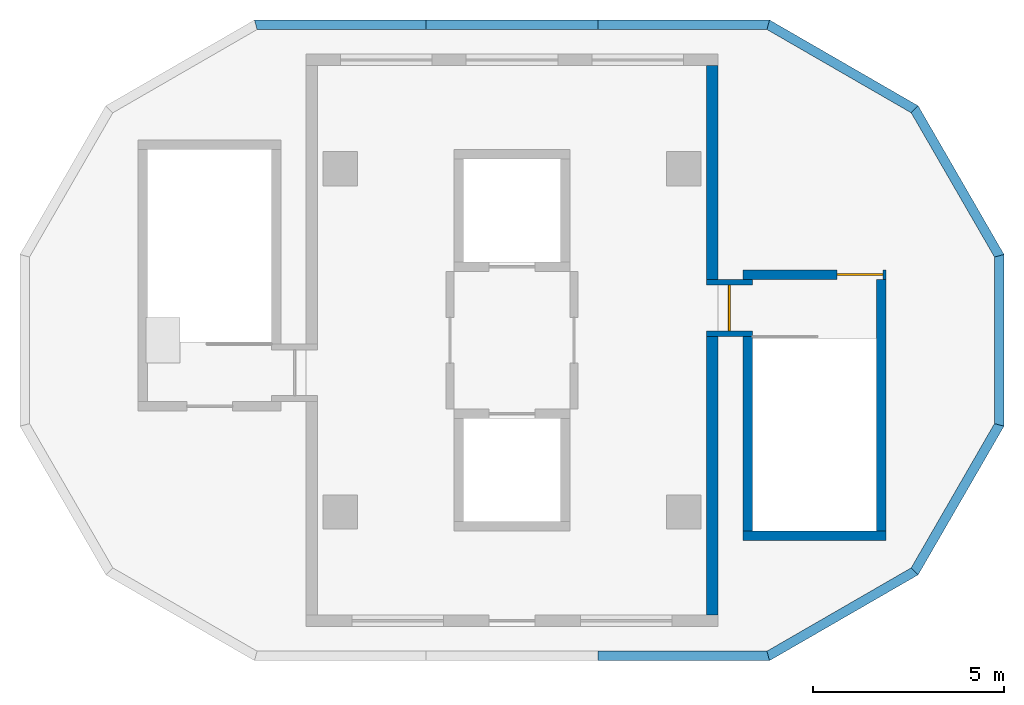
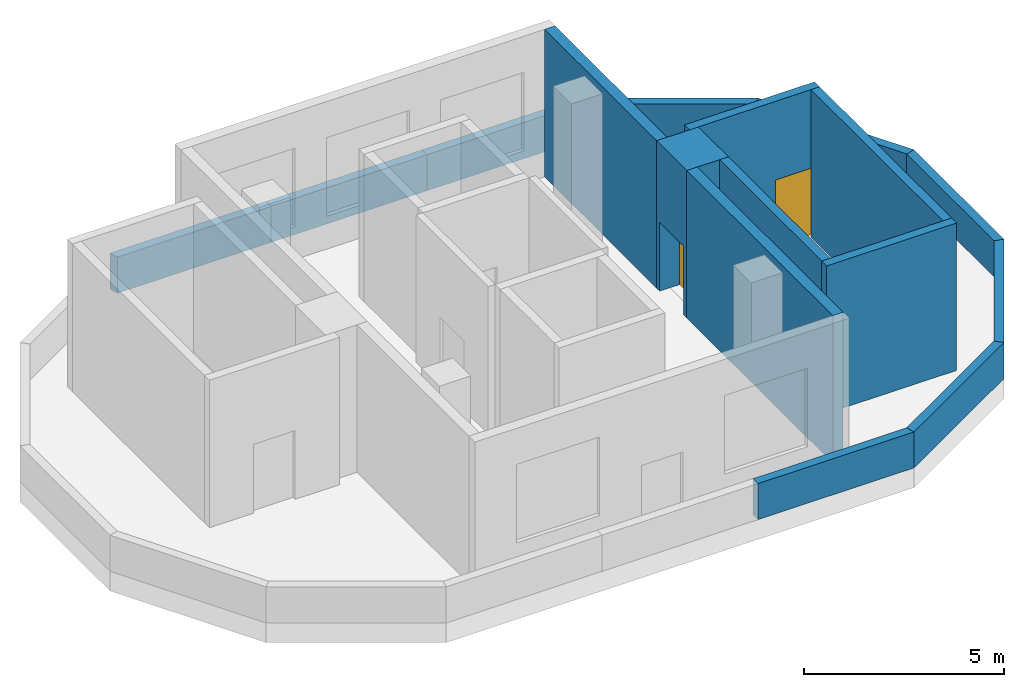
# One storey, part 2 of 3: 16 walls, 2 doors, 2 openings.
"""IFC4 building model written with IfcOpenShell, lengths in metres."""

from ifc_helpers import new_model, si_unit, direction, frame, frame_2d, origin, place, context, subcontext, project, spatial, polyline, rectangle, outline, extrude, material, layer, layer_set, type_object, element, fill, save


model = new_model("IFC4")

# Units and contexts
model_context = context("Model", 3, precision=1e-05, world=origin(), true_north=direction((0.0, 1.0)))
body_context = subcontext(model_context, "Body", "Model", "MODEL_VIEW")
ifc_project = project(units=[si_unit("LENGTHUNIT", "METRE"), si_unit("AREAUNIT", "SQUARE_METRE"), si_unit("VOLUMEUNIT", "CUBIC_METRE"), si_unit("PLANEANGLEUNIT", "RADIAN"), si_unit("MASSUNIT", "GRAM", prefix="KILO")], contexts=[model_context])

# Site, building, storey
site_placement = place(None, origin())
site = spatial("IfcSite", under=ifc_project, at=site_placement, CompositionType="ELEMENT")
building_placement = place(site_placement, origin())
building = spatial("IfcBuilding", under=site, at=building_placement, Name="Dhurran Vertical Campus", CompositionType="ELEMENT")
storey_placement = place(building_placement, frame((0.0, 0.0, 341.39990234375)))
storey = spatial("IfcBuildingStorey", under=building, at=storey_placement, Name="Roof", CompositionType="ELEMENT", Elevation=341.39990234375)

# Wall, opening, door
ifc_material_1 = material(Name="Precast concrete C50/60", Category="concrete")
ifc_layer_1 = layer(ifc_material_1, 0.25)
ifc_layer_set_1 = layer_set([ifc_layer_1], Name="Precast concrete C50/60")
wall_type_1 = type_object("IfcWallType", Name="Crown stair head-house wall 250", PredefinedType="SOLIDWALL", material=ifc_layer_set_1)
wall_1_placement = place(storey_placement, frame((6.050048828125, 1.72509765625, 0.0), z_axis=(0.0, 0.0, 1.0), x_axis=(1.0, 0.0, 0.0)))
wall_1 = element("IfcWall", 1, at=wall_1_placement, inside=storey, type_object=wall_type_1, Name="HW1 ST6 head-house wall end", PredefinedType="SOLIDWALL", context=body_context, shape_type="SweptSolid", body=[
    extrude(rectangle(XDim=3.75, YDim=0.25, at=frame_2d((1.875, 0.0))), origin(), (0.0, 0.0, 1.0), 4.5),
])
opening_1_placement = place(wall_1_placement, frame((2.47509765625, 0.0, 0.0)))
opening_1 = element("IfcOpeningElement", 2, at=opening_1_placement, cuts=wall_1, Name="Opening D202", PredefinedType="OPENING", context=body_context, shape_type="SweptSolid", body=[
    extrude(rectangle(XDim=1.199951171875, YDim=2.10009765625, at=frame_2d((0.60009765625, 1.050048828125))), frame((0.0, 0.135009765625, 0.0), z_axis=(0.0, -1.0, 0.0), x_axis=(1.0, 0.0, 0.0)), (0.0, 0.0, 1.0), 0.27001953125),
])
ifc_material_2 = material(Name="Steel, fire-rated", Category="steel")
door_type_1 = type_object("IfcDoorType", Name="Head-house exit door 1200 x 2100", OperationType="SINGLE_SWING_LEFT", PredefinedType="DOOR", material=ifc_material_2)
door_1_placement = place(opening_1_placement, origin())
door_1 = element("IfcDoor", 3, at=door_1_placement, inside=storey, type_object=door_type_1, Name="D202 stair ST6 roof access door", OperationType="SINGLE_SWING_LEFT", OverallHeight=2.10009765625, OverallWidth=1.199951171875, PredefinedType="DOOR", context=body_context, shape_type="SweptSolid", body=[
    extrude(rectangle(XDim=1.199951171875, YDim=2.10009765625, at=frame_2d((0.60009765625, 1.050048828125))), frame((0.0, 0.02490234375, 0.0), z_axis=(0.0, -1.0, 0.0), x_axis=(1.0, 0.0, 0.0)), (0.0, 0.0, 1.0), 0.050048828125),
])
fill(opening_1, door_1)

# Walls
wall_2_placement = place(storey_placement, frame((6.050048828125, -5.125, 0.0), z_axis=(0.0, 0.0, 1.0), x_axis=(1.0, 0.0, 0.0)))
element("IfcWall", 4, at=wall_2_placement, inside=storey, type_object=wall_type_1, Name="HW1 ST6 head-house wall far", PredefinedType="SOLIDWALL", context=body_context, shape_type="SweptSolid", body=[
    extrude(rectangle(XDim=3.75, YDim=0.25, at=frame_2d((1.875, 0.0))), origin(), (0.0, 0.0, 1.0), 4.5),
])
wall_3_placement = place(storey_placement, frame((6.175048828125, -5.0, 0.0), z_axis=(0.0, 0.0, 1.0), x_axis=(0.0, 1.0, 0.0)))
element("IfcWall", 5, at=wall_3_placement, inside=storey, type_object=wall_type_1, Name="HW1 ST6 head-house wall west", PredefinedType="SOLIDWALL", context=body_context, shape_type="SweptSolid", body=[
    extrude(rectangle(XDim=5.10009765625, YDim=0.25, at=frame_2d((2.550048828125, 0.0))), origin(), (0.0, 0.0, 1.0), 4.5),
])
wall_4_placement = place(storey_placement, frame((9.675048828125, -5.0, 0.0), z_axis=(0.0, 0.0, 1.0), x_axis=(0.0, 1.0, 0.0)))
element("IfcWall", 6, at=wall_4_placement, inside=storey, type_object=wall_type_1, Name="HW1 ST6 head-house wall east", PredefinedType="SOLIDWALL", context=body_context, shape_type="SweptSolid", body=[
    extrude(rectangle(XDim=6.60009765625, YDim=0.25, at=frame_2d((3.300048828125, 0.0))), origin(), (0.0, 0.0, 1.0), 4.5),
])

# Wall, opening, door
ifc_material_3 = material(Name="Precast concrete C50/60", Category="concrete")
ifc_layer_2 = layer(ifc_material_3, 1.199951171875)
ifc_layer_set_2 = layer_set([ifc_layer_2], Name="Precast concrete C50/60")
wall_type_2 = type_object("IfcWallType", Name="Crown stair link wall 1200", PredefinedType="SOLIDWALL", material=ifc_layer_set_2)
wall_5_placement = place(storey_placement, frame((5.699951171875, 0.10009765625, 0.0), z_axis=(0.0, 0.0, 1.0), x_axis=(0.0, 1.0, 0.0)))
wall_5 = element("IfcWall", 7, at=wall_5_placement, inside=storey, type_object=wall_type_2, Name="HW2 ST6 link wall", PredefinedType="SOLIDWALL", context=body_context, shape_type="SweptSolid", body=[
    extrude(rectangle(XDim=1.5, YDim=1.199951171875, at=frame_2d((0.75, 0.0))), origin(), (0.0, 0.0, 1.0), 4.5),
])
opening_2_placement = place(wall_5_placement, frame((0.14990234375, 0.0, 0.0)))
opening_2 = element("IfcOpeningElement", 8, at=opening_2_placement, cuts=wall_5, Name="Opening D205", PredefinedType="OPENING", context=body_context, shape_type="SweptSolid", body=[
    extrude(rectangle(XDim=1.199951171875, YDim=2.10009765625, at=frame_2d((0.60009765625, 1.050048828125))), frame((0.0, 0.60986328125, 0.0), z_axis=(0.0, -1.0, 0.0), x_axis=(1.0, 0.0, 0.0)), (0.0, 0.0, 1.0), 1.219970703125),
])
ifc_material_4 = material(Name="Steel, fire-rated", Category="steel")
door_type_2 = type_object("IfcDoorType", Name="Plant drum door 1200 x 2100", OperationType="SINGLE_SWING_LEFT", PredefinedType="DOOR", material=ifc_material_4)
door_2_placement = place(opening_2_placement, origin())
door_2 = element("IfcDoor", 9, at=door_2_placement, inside=storey, type_object=door_type_2, Name="D205 plant room to stair ST6 door", OperationType="SINGLE_SWING_LEFT", OverallHeight=2.10009765625, OverallWidth=1.199951171875, PredefinedType="DOOR", context=body_context, shape_type="SweptSolid", body=[
    extrude(rectangle(XDim=1.199951171875, YDim=2.10009765625, at=frame_2d((0.60009765625, 1.050048828125))), frame((0.0, 0.02490234375, 0.0), z_axis=(0.0, -1.0, 0.0), x_axis=(1.0, 0.0, 0.0)), (0.0, 0.0, 1.0), 0.050048828125),
])
fill(opening_2, door_2)

# Walls
ifc_material_5 = material(Name="Precast concrete C50/60", Category="concrete")
ifc_layer_3 = layer(ifc_material_5, 0.300048828125)
ifc_layer_set_3 = layer_set([ifc_layer_3], Name="Precast concrete C50/60")
wall_type_3 = type_object("IfcWallType", Name="Precast louvre-bay wall 300", PredefinedType="SOLIDWALL", material=ifc_layer_set_3)
wall_6_placement = place(storey_placement, frame((5.25, -7.199951171875, 0.0), z_axis=(0.0, 0.0, 1.0), x_axis=(0.0, 1.0, 0.0)))
element("IfcWall", 10, at=wall_6_placement, inside=storey, type_object=wall_type_3, Name="EW3 plant drum wall E1", PredefinedType="SOLIDWALL", context=body_context, shape_type="SweptSolid", body=[
    extrude(rectangle(XDim=7.300048828125, YDim=0.300048828125, at=frame_2d((3.64990234375, 0.0))), origin(), (0.0, 0.0, 1.0), 4.5),
])
wall_7_placement = place(storey_placement, frame((5.25, 1.60009765625, 0.0), z_axis=(0.0, 0.0, 1.0), x_axis=(0.0, 1.0, 0.0)))
element("IfcWall", 11, at=wall_7_placement, inside=storey, type_object=wall_type_3, Name="EW3 plant drum wall E2", PredefinedType="SOLIDWALL", context=body_context, shape_type="SweptSolid", body=[
    extrude(rectangle(XDim=5.599853515625, YDim=0.300048828125, at=frame_2d((2.7998046875, 0.0))), origin(), (0.0, 0.0, 1.0), 4.5),
])
ifc_material_6 = material(Name="Precast concrete C50/60", Category="concrete")
ifc_layer_4 = layer(ifc_material_6, 0.25)
ifc_layer_set_4 = layer_set([ifc_layer_4], Name="Precast concrete C50/60")
wall_type_4 = type_object("IfcWallType", Name="Precast parapet 250", PredefinedType="PARAPET", material=ifc_layer_set_4)
wall_8_placement = place(storey_placement, origin())
element("IfcWall", 12, at=wall_8_placement, inside=storey, type_object=wall_type_4, Name="PW1 Roof.02", PredefinedType="PARAPET", context=body_context, shape_type="SweptSolid", body=[
    extrude(outline(polyline([(2.25, -8.397216796875), (6.75, -8.397216796875), (6.68310546875, -8.147216796875), (2.25, -8.147216796875), (2.25, -8.397216796875)])), origin(), (0.0, 0.0, 1.0), 1.10009765625),
])
wall_9_placement = place(storey_placement, origin())
element("IfcWall", 13, at=wall_9_placement, inside=storey, type_object=wall_type_4, Name="PW1 Roof.03", PredefinedType="PARAPET", context=body_context, shape_type="SweptSolid", body=[
    extrude(outline(polyline([(6.75, -8.397216796875), (10.647216796875, -6.147216796875), (10.464111328125, -5.964111328125), (6.68310546875, -8.147216796875), (6.75, -8.397216796875)])), origin(), (0.0, 0.0, 1.0), 1.10009765625),
])
wall_10_placement = place(storey_placement, origin())
element("IfcWall", 14, at=wall_10_placement, inside=storey, type_object=wall_type_4, Name="PW1 Roof.04", PredefinedType="PARAPET", context=body_context, shape_type="SweptSolid", body=[
    extrude(outline(polyline([(10.647216796875, -6.147216796875), (12.897216796875, -2.25), (12.647216796875, -2.18310546875), (10.464111328125, -5.964111328125), (10.647216796875, -6.147216796875)])), origin(), (0.0, 0.0, 1.0), 1.10009765625),
])
wall_11_placement = place(storey_placement, origin())
element("IfcWall", 15, at=wall_11_placement, inside=storey, type_object=wall_type_4, Name="PW1 Roof.05", PredefinedType="PARAPET", context=body_context, shape_type="SweptSolid", body=[
    extrude(outline(polyline([(12.897216796875, -2.25), (12.897216796875, 2.25), (12.647216796875, 2.18310546875), (12.647216796875, -2.18310546875), (12.897216796875, -2.25)])), origin(), (0.0, 0.0, 1.0), 1.10009765625),
])
wall_12_placement = place(storey_placement, origin())
element("IfcWall", 16, at=wall_12_placement, inside=storey, type_object=wall_type_4, Name="PW1 Roof.06", PredefinedType="PARAPET", context=body_context, shape_type="SweptSolid", body=[
    extrude(outline(polyline([(12.897216796875, 2.25), (10.647216796875, 6.147216796875), (10.464111328125, 5.964111328125), (12.647216796875, 2.18310546875), (12.897216796875, 2.25)])), origin(), (0.0, 0.0, 1.0), 1.10009765625),
])
wall_13_placement = place(storey_placement, origin())
element("IfcWall", 17, at=wall_13_placement, inside=storey, type_object=wall_type_4, Name="PW1 Roof.07", PredefinedType="PARAPET", context=body_context, shape_type="SweptSolid", body=[
    extrude(outline(polyline([(10.647216796875, 6.147216796875), (6.75, 8.397216796875), (6.68310546875, 8.147216796875), (10.464111328125, 5.964111328125), (10.647216796875, 6.147216796875)])), origin(), (0.0, 0.0, 1.0), 1.10009765625),
])
wall_14_placement = place(storey_placement, origin())
element("IfcWall", 18, at=wall_14_placement, inside=storey, type_object=wall_type_4, Name="PW1 Roof.08", PredefinedType="PARAPET", context=body_context, shape_type="SweptSolid", body=[
    extrude(outline(polyline([(6.75, 8.397216796875), (2.25, 8.397216796875), (2.25, 8.147216796875), (6.68310546875, 8.147216796875), (6.75, 8.397216796875)])), origin(), (0.0, 0.0, 1.0), 1.10009765625),
])
wall_15_placement = place(storey_placement, origin())
element("IfcWall", 19, at=wall_15_placement, inside=storey, type_object=wall_type_4, Name="PW1 Roof.09", PredefinedType="PARAPET", context=body_context, shape_type="SweptSolid", body=[
    extrude(outline(polyline([(2.25, 8.397216796875), (-2.25, 8.397216796875), (-2.25, 8.147216796875), (2.25, 8.147216796875), (2.25, 8.397216796875)])), origin(), (0.0, 0.0, 1.0), 1.10009765625),
])
wall_16_placement = place(storey_placement, origin())
element("IfcWall", 20, at=wall_16_placement, inside=storey, type_object=wall_type_4, Name="PW1 Roof.10", PredefinedType="PARAPET", context=body_context, shape_type="SweptSolid", body=[
    extrude(outline(polyline([(-2.25, 8.397216796875), (-6.75, 8.397216796875), (-6.68310546875, 8.147216796875), (-2.25, 8.147216796875), (-2.25, 8.397216796875)])), origin(), (0.0, 0.0, 1.0), 1.10009765625),
])

save(model, "model.ifc")
